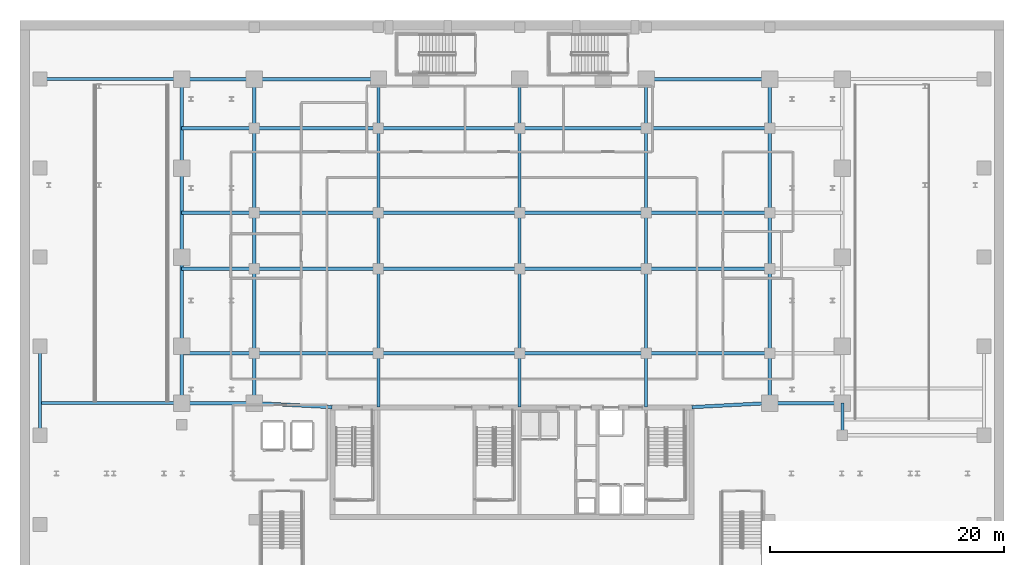
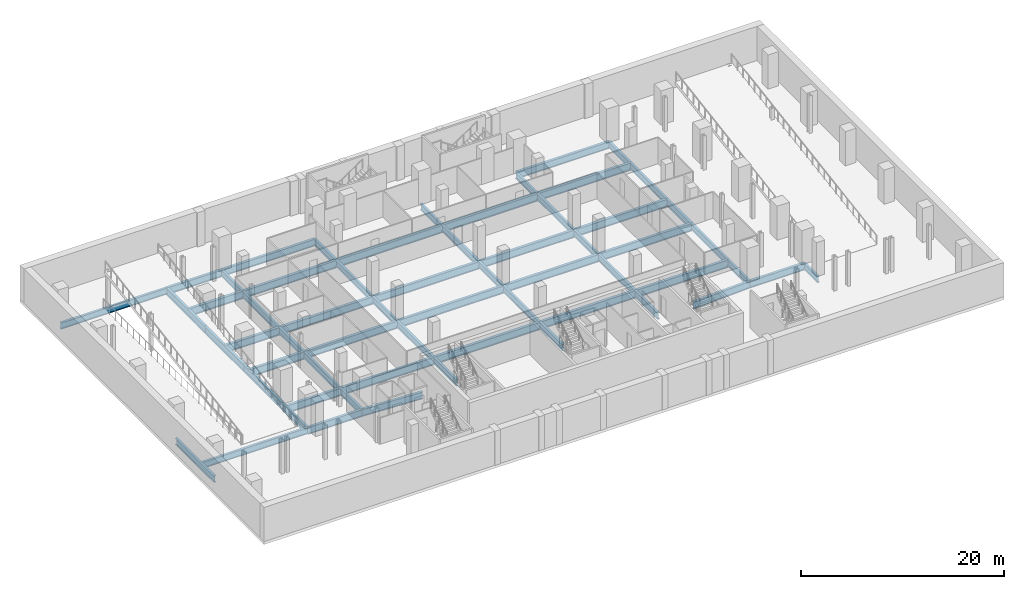
# One storey, part 5 of 18: 60 beams.
"""IFC4 building model written with IfcOpenShell, lengths in metres."""

from ifc_helpers import new_model, si_unit, direction, frame, origin, origin_2d, place, context, subcontext, project, spatial, i_section, extrude, material, material_profile, profile_set, type_object, element, save


model = new_model("IFC4")

# Units and contexts
model_context = context("Model", 3, precision=1e-05, world=origin(), true_north=direction((0.0, 1.0)))
body_context = subcontext(model_context, "Body", "Model", "MODEL_VIEW")
ifc_project = project(units=[si_unit("LENGTHUNIT", "METRE"), si_unit("AREAUNIT", "SQUARE_METRE"), si_unit("VOLUMEUNIT", "CUBIC_METRE"), si_unit("PLANEANGLEUNIT", "RADIAN"), si_unit("MASSUNIT", "GRAM", prefix="KILO")], contexts=[model_context])

# Site, building, storey
site_placement = place(None, origin())
site = spatial("IfcSite", under=ifc_project, at=site_placement, CompositionType="ELEMENT")
building_placement = place(site_placement, origin())
building = spatial("IfcBuilding", under=site, at=building_placement, Name="Ndaravel Arena Tower", CompositionType="ELEMENT")
storey_placement = place(building_placement, frame((0.0, 0.0, -4.5)))
storey = spatial("IfcBuildingStorey", under=building, at=storey_placement, Name="B01", CompositionType="ELEMENT", Elevation=-4.5)

# Beams
ifc_material_1 = material(Name="Steel S355", Category="steel")
ifc_material_profile_1 = material_profile(ifc_material_1, i_section(OverallWidth=0.26806640625, OverallDepth=0.769775390625, WebThickness=0.015625, FlangeThickness=0.025390625, FilletRadius=0.0166015625, at=origin_2d()), Name="UB 762x267x197")
ifc_profile_set_1 = profile_set([ifc_material_profile_1], Name="Steel S355")
beam_type_1 = type_object("IfcBeamType", Name="BM-POD-UB762", PredefinedType="BEAM", material=ifc_profile_set_1)
beam_1_placement = place(storey_placement, frame((1.699951171875, 43.0, -0.73486328125), z_axis=(1.0, 0.0, 0.0), x_axis=(0.0, 1.0, 0.0)))
element("IfcBeam", 1, at=beam_1_placement, inside=storey, type_object=beam_type_1, Name="B01 West Concourse Beam 04", PredefinedType="BEAM", context=body_context, shape_type="SweptSolid", body=[
    extrude(i_section(OverallWidth=0.26806640625, OverallDepth=0.769775390625, WebThickness=0.015625, FlangeThickness=0.025390625, FilletRadius=0.0166015625, at=origin_2d()), origin(), (0.0, 0.0, 1.0), 12.10009765625),
])
beam_2_placement = place(storey_placement, frame((20.0, 15.35009765625, -0.73486328125), z_axis=(0.0, 1.0, 0.0), x_axis=(-1.0, 0.0, 0.0)))
element("IfcBeam", 2, at=beam_2_placement, inside=storey, type_object=beam_type_1, Name="B01 Sub-Court Tie 1.15", PredefinedType="BEAM", context=body_context, shape_type="SweptSolid", body=[
    extrude(i_section(OverallWidth=0.26806640625, OverallDepth=0.769775390625, WebThickness=0.015625, FlangeThickness=0.025390625, FilletRadius=0.0166015625, at=origin_2d()), origin(), (0.0, 0.0, 1.0), 4.25),
])
beam_3_placement = place(storey_placement, frame((20.0, 19.60009765625, -0.73486328125), z_axis=(0.0, 1.0, 0.0), x_axis=(-1.0, 0.0, 0.0)))
element("IfcBeam", 3, at=beam_3_placement, inside=storey, type_object=beam_type_1, Name="B01 Sub-Court Tie 1.19", PredefinedType="BEAM", context=body_context, shape_type="SweptSolid", body=[
    extrude(i_section(OverallWidth=0.26806640625, OverallDepth=0.769775390625, WebThickness=0.015625, FlangeThickness=0.025390625, FilletRadius=0.0166015625, at=origin_2d()), origin(), (0.0, 0.0, 1.0), 7.199951171875),
])
beam_4_placement = place(storey_placement, frame((20.0, 26.800048828125, -0.73486328125), z_axis=(0.0, 1.0, 0.0), x_axis=(-1.0, 0.0, 0.0)))
element("IfcBeam", 4, at=beam_4_placement, inside=storey, type_object=beam_type_1, Name="B01 Sub-Court Tie 1.26", PredefinedType="BEAM", context=body_context, shape_type="SweptSolid", body=[
    extrude(i_section(OverallWidth=0.26806640625, OverallDepth=0.769775390625, WebThickness=0.015625, FlangeThickness=0.025390625, FilletRadius=0.0166015625, at=origin_2d()), origin(), (0.0, 0.0, 1.0), 4.800048828125),
])
beam_5_placement = place(storey_placement, frame((20.0, 31.60009765625, -0.73486328125), z_axis=(0.0, 1.0, 0.0), x_axis=(-1.0, 0.0, 0.0)))
element("IfcBeam", 5, at=beam_5_placement, inside=storey, type_object=beam_type_1, Name="B01 Sub-Court Tie 1.31", PredefinedType="BEAM", context=body_context, shape_type="SweptSolid", body=[
    extrude(i_section(OverallWidth=0.26806640625, OverallDepth=0.769775390625, WebThickness=0.015625, FlangeThickness=0.025390625, FilletRadius=0.0166015625, at=origin_2d()), origin(), (0.0, 0.0, 1.0), 7.199951171875),
])
beam_6_placement = place(storey_placement, frame((20.0, 38.800048828125, -0.73486328125), z_axis=(0.0, 1.0, 0.0), x_axis=(-1.0, 0.0, 0.0)))
element("IfcBeam", 6, at=beam_6_placement, inside=storey, type_object=beam_type_1, Name="B01 Sub-Court Tie 1.38", PredefinedType="BEAM", context=body_context, shape_type="SweptSolid", body=[
    extrude(i_section(OverallWidth=0.26806640625, OverallDepth=0.769775390625, WebThickness=0.015625, FlangeThickness=0.025390625, FilletRadius=0.0166015625, at=origin_2d()), origin(), (0.0, 0.0, 1.0), 4.199951171875),
])
beam_7_placement = place(storey_placement, frame((30.60009765625, 15.0, -0.73486328125), z_axis=(0.0, 1.0, 0.0), x_axis=(-1.0, 0.0, 0.0)))
element("IfcBeam", 7, at=beam_7_placement, inside=storey, type_object=beam_type_1, Name="B01 Sub-Court Tie 2.15", PredefinedType="BEAM", context=body_context, shape_type="SweptSolid", body=[
    extrude(i_section(OverallWidth=0.26806640625, OverallDepth=0.769775390625, WebThickness=0.015625, FlangeThickness=0.025390625, FilletRadius=0.0166015625, at=origin_2d()), origin(), (0.0, 0.0, 1.0), 4.60009765625),
])
beam_8_placement = place(storey_placement, frame((30.60009765625, 19.60009765625, -0.73486328125), z_axis=(0.0, 1.0, 0.0), x_axis=(-1.0, 0.0, 0.0)))
element("IfcBeam", 8, at=beam_8_placement, inside=storey, type_object=beam_type_1, Name="B01 Sub-Court Tie 2.19", PredefinedType="BEAM", context=body_context, shape_type="SweptSolid", body=[
    extrude(i_section(OverallWidth=0.26806640625, OverallDepth=0.769775390625, WebThickness=0.015625, FlangeThickness=0.025390625, FilletRadius=0.0166015625, at=origin_2d()), origin(), (0.0, 0.0, 1.0), 7.199951171875),
])
beam_9_placement = place(storey_placement, frame((30.60009765625, 26.800048828125, -0.73486328125), z_axis=(0.0, 1.0, 0.0), x_axis=(-1.0, 0.0, 0.0)))
element("IfcBeam", 9, at=beam_9_placement, inside=storey, type_object=beam_type_1, Name="B01 Sub-Court Tie 2.26", PredefinedType="BEAM", context=body_context, shape_type="SweptSolid", body=[
    extrude(i_section(OverallWidth=0.26806640625, OverallDepth=0.769775390625, WebThickness=0.015625, FlangeThickness=0.025390625, FilletRadius=0.0166015625, at=origin_2d()), origin(), (0.0, 0.0, 1.0), 4.800048828125),
])
beam_10_placement = place(storey_placement, frame((30.60009765625, 31.60009765625, -0.73486328125), z_axis=(0.0, 1.0, 0.0), x_axis=(-1.0, 0.0, 0.0)))
element("IfcBeam", 10, at=beam_10_placement, inside=storey, type_object=beam_type_1, Name="B01 Sub-Court Tie 2.31", PredefinedType="BEAM", context=body_context, shape_type="SweptSolid", body=[
    extrude(i_section(OverallWidth=0.26806640625, OverallDepth=0.769775390625, WebThickness=0.015625, FlangeThickness=0.025390625, FilletRadius=0.0166015625, at=origin_2d()), origin(), (0.0, 0.0, 1.0), 7.199951171875),
])
beam_11_placement = place(storey_placement, frame((30.60009765625, 38.800048828125, -0.73486328125), z_axis=(0.0, 1.0, 0.0), x_axis=(-1.0, 0.0, 0.0)))
element("IfcBeam", 11, at=beam_11_placement, inside=storey, type_object=beam_type_1, Name="B01 Sub-Court Tie 2.38", PredefinedType="BEAM", context=body_context, shape_type="SweptSolid", body=[
    extrude(i_section(OverallWidth=0.26806640625, OverallDepth=0.769775390625, WebThickness=0.015625, FlangeThickness=0.025390625, FilletRadius=0.0166015625, at=origin_2d()), origin(), (0.0, 0.0, 1.0), 4.199951171875),
])
beam_12_placement = place(storey_placement, frame((42.64990234375, 15.0, -0.73486328125), z_axis=(0.0, 1.0, 0.0), x_axis=(-1.0, 0.0, 0.0)))
element("IfcBeam", 12, at=beam_12_placement, inside=storey, type_object=beam_type_1, Name="B01 Sub-Court Tie 3.15", PredefinedType="BEAM", context=body_context, shape_type="SweptSolid", body=[
    extrude(i_section(OverallWidth=0.26806640625, OverallDepth=0.769775390625, WebThickness=0.015625, FlangeThickness=0.025390625, FilletRadius=0.0166015625, at=origin_2d()), origin(), (0.0, 0.0, 1.0), 4.60009765625),
])
beam_13_placement = place(storey_placement, frame((42.64990234375, 19.60009765625, -0.73486328125), z_axis=(0.0, 1.0, 0.0), x_axis=(-1.0, 0.0, 0.0)))
element("IfcBeam", 13, at=beam_13_placement, inside=storey, type_object=beam_type_1, Name="B01 Sub-Court Tie 3.19", PredefinedType="BEAM", context=body_context, shape_type="SweptSolid", body=[
    extrude(i_section(OverallWidth=0.26806640625, OverallDepth=0.769775390625, WebThickness=0.015625, FlangeThickness=0.025390625, FilletRadius=0.0166015625, at=origin_2d()), origin(), (0.0, 0.0, 1.0), 7.199951171875),
])
beam_14_placement = place(storey_placement, frame((42.64990234375, 26.800048828125, -0.73486328125), z_axis=(0.0, 1.0, 0.0), x_axis=(-1.0, 0.0, 0.0)))
element("IfcBeam", 14, at=beam_14_placement, inside=storey, type_object=beam_type_1, Name="B01 Sub-Court Tie 3.26", PredefinedType="BEAM", context=body_context, shape_type="SweptSolid", body=[
    extrude(i_section(OverallWidth=0.26806640625, OverallDepth=0.769775390625, WebThickness=0.015625, FlangeThickness=0.025390625, FilletRadius=0.0166015625, at=origin_2d()), origin(), (0.0, 0.0, 1.0), 4.800048828125),
])
beam_15_placement = place(storey_placement, frame((42.64990234375, 31.60009765625, -0.73486328125), z_axis=(0.0, 1.0, 0.0), x_axis=(-1.0, 0.0, 0.0)))
element("IfcBeam", 15, at=beam_15_placement, inside=storey, type_object=beam_type_1, Name="B01 Sub-Court Tie 3.31", PredefinedType="BEAM", context=body_context, shape_type="SweptSolid", body=[
    extrude(i_section(OverallWidth=0.26806640625, OverallDepth=0.769775390625, WebThickness=0.015625, FlangeThickness=0.025390625, FilletRadius=0.0166015625, at=origin_2d()), origin(), (0.0, 0.0, 1.0), 7.199951171875),
])
beam_16_placement = place(storey_placement, frame((42.64990234375, 38.800048828125, -0.73486328125), z_axis=(0.0, 1.0, 0.0), x_axis=(-1.0, 0.0, 0.0)))
element("IfcBeam", 16, at=beam_16_placement, inside=storey, type_object=beam_type_1, Name="B01 Sub-Court Tie 3.38", PredefinedType="BEAM", context=body_context, shape_type="SweptSolid", body=[
    extrude(i_section(OverallWidth=0.26806640625, OverallDepth=0.769775390625, WebThickness=0.015625, FlangeThickness=0.025390625, FilletRadius=0.0166015625, at=origin_2d()), origin(), (0.0, 0.0, 1.0), 4.199951171875),
])
beam_17_placement = place(storey_placement, frame((53.449951171875, 15.0, -0.73486328125), z_axis=(0.0, 1.0, 0.0), x_axis=(-1.0, 0.0, 0.0)))
element("IfcBeam", 17, at=beam_17_placement, inside=storey, type_object=beam_type_1, Name="B01 Sub-Court Tie 4.15", PredefinedType="BEAM", context=body_context, shape_type="SweptSolid", body=[
    extrude(i_section(OverallWidth=0.26806640625, OverallDepth=0.769775390625, WebThickness=0.015625, FlangeThickness=0.025390625, FilletRadius=0.0166015625, at=origin_2d()), origin(), (0.0, 0.0, 1.0), 4.60009765625),
])
beam_18_placement = place(storey_placement, frame((53.449951171875, 19.60009765625, -0.73486328125), z_axis=(0.0, 1.0, 0.0), x_axis=(-1.0, 0.0, 0.0)))
element("IfcBeam", 18, at=beam_18_placement, inside=storey, type_object=beam_type_1, Name="B01 Sub-Court Tie 4.19", PredefinedType="BEAM", context=body_context, shape_type="SweptSolid", body=[
    extrude(i_section(OverallWidth=0.26806640625, OverallDepth=0.769775390625, WebThickness=0.015625, FlangeThickness=0.025390625, FilletRadius=0.0166015625, at=origin_2d()), origin(), (0.0, 0.0, 1.0), 7.199951171875),
])
beam_19_placement = place(storey_placement, frame((53.449951171875, 26.800048828125, -0.73486328125), z_axis=(0.0, 1.0, 0.0), x_axis=(-1.0, 0.0, 0.0)))
element("IfcBeam", 19, at=beam_19_placement, inside=storey, type_object=beam_type_1, Name="B01 Sub-Court Tie 4.26", PredefinedType="BEAM", context=body_context, shape_type="SweptSolid", body=[
    extrude(i_section(OverallWidth=0.26806640625, OverallDepth=0.769775390625, WebThickness=0.015625, FlangeThickness=0.025390625, FilletRadius=0.0166015625, at=origin_2d()), origin(), (0.0, 0.0, 1.0), 4.800048828125),
])
beam_20_placement = place(storey_placement, frame((53.449951171875, 31.60009765625, -0.73486328125), z_axis=(0.0, 1.0, 0.0), x_axis=(-1.0, 0.0, 0.0)))
element("IfcBeam", 20, at=beam_20_placement, inside=storey, type_object=beam_type_1, Name="B01 Sub-Court Tie 4.31", PredefinedType="BEAM", context=body_context, shape_type="SweptSolid", body=[
    extrude(i_section(OverallWidth=0.26806640625, OverallDepth=0.769775390625, WebThickness=0.015625, FlangeThickness=0.025390625, FilletRadius=0.0166015625, at=origin_2d()), origin(), (0.0, 0.0, 1.0), 7.199951171875),
])
beam_21_placement = place(storey_placement, frame((53.449951171875, 38.800048828125, -0.73486328125), z_axis=(0.0, 1.0, 0.0), x_axis=(-1.0, 0.0, 0.0)))
element("IfcBeam", 21, at=beam_21_placement, inside=storey, type_object=beam_type_1, Name="B01 Sub-Court Tie 4.38", PredefinedType="BEAM", context=body_context, shape_type="SweptSolid", body=[
    extrude(i_section(OverallWidth=0.26806640625, OverallDepth=0.769775390625, WebThickness=0.015625, FlangeThickness=0.025390625, FilletRadius=0.0166015625, at=origin_2d()), origin(), (0.0, 0.0, 1.0), 4.199951171875),
])
beam_22_placement = place(storey_placement, frame((64.0, 15.35009765625, -0.73486328125), z_axis=(0.0, 1.0, 0.0), x_axis=(-1.0, 0.0, 0.0)))
element("IfcBeam", 22, at=beam_22_placement, inside=storey, type_object=beam_type_1, Name="B01 Sub-Court Tie 5.15", PredefinedType="BEAM", context=body_context, shape_type="SweptSolid", body=[
    extrude(i_section(OverallWidth=0.26806640625, OverallDepth=0.769775390625, WebThickness=0.015625, FlangeThickness=0.025390625, FilletRadius=0.0166015625, at=origin_2d()), origin(), (0.0, 0.0, 1.0), 4.25),
])
beam_23_placement = place(storey_placement, frame((64.0, 19.60009765625, -0.73486328125), z_axis=(0.0, 1.0, 0.0), x_axis=(-1.0, 0.0, 0.0)))
element("IfcBeam", 23, at=beam_23_placement, inside=storey, type_object=beam_type_1, Name="B01 Sub-Court Tie 5.19", PredefinedType="BEAM", context=body_context, shape_type="SweptSolid", body=[
    extrude(i_section(OverallWidth=0.26806640625, OverallDepth=0.769775390625, WebThickness=0.015625, FlangeThickness=0.025390625, FilletRadius=0.0166015625, at=origin_2d()), origin(), (0.0, 0.0, 1.0), 7.199951171875),
])
beam_24_placement = place(storey_placement, frame((64.0, 26.800048828125, -0.73486328125), z_axis=(0.0, 1.0, 0.0), x_axis=(-1.0, 0.0, 0.0)))
element("IfcBeam", 24, at=beam_24_placement, inside=storey, type_object=beam_type_1, Name="B01 Sub-Court Tie 5.26", PredefinedType="BEAM", context=body_context, shape_type="SweptSolid", body=[
    extrude(i_section(OverallWidth=0.26806640625, OverallDepth=0.769775390625, WebThickness=0.015625, FlangeThickness=0.025390625, FilletRadius=0.0166015625, at=origin_2d()), origin(), (0.0, 0.0, 1.0), 4.800048828125),
])
beam_25_placement = place(storey_placement, frame((64.0, 31.60009765625, -0.73486328125), z_axis=(0.0, 1.0, 0.0), x_axis=(-1.0, 0.0, 0.0)))
element("IfcBeam", 25, at=beam_25_placement, inside=storey, type_object=beam_type_1, Name="B01 Sub-Court Tie 5.31", PredefinedType="BEAM", context=body_context, shape_type="SweptSolid", body=[
    extrude(i_section(OverallWidth=0.26806640625, OverallDepth=0.769775390625, WebThickness=0.015625, FlangeThickness=0.025390625, FilletRadius=0.0166015625, at=origin_2d()), origin(), (0.0, 0.0, 1.0), 7.199951171875),
])
beam_26_placement = place(storey_placement, frame((64.0, 38.800048828125, -0.73486328125), z_axis=(0.0, 1.0, 0.0), x_axis=(-1.0, 0.0, 0.0)))
element("IfcBeam", 26, at=beam_26_placement, inside=storey, type_object=beam_type_1, Name="B01 Sub-Court Tie 5.38", PredefinedType="BEAM", context=body_context, shape_type="SweptSolid", body=[
    extrude(i_section(OverallWidth=0.26806640625, OverallDepth=0.769775390625, WebThickness=0.015625, FlangeThickness=0.025390625, FilletRadius=0.0166015625, at=origin_2d()), origin(), (0.0, 0.0, 1.0), 4.199951171875),
])
beam_27_placement = place(storey_placement, frame((1.699951171875, 12.60009765625, -0.73486328125), z_axis=(0.0, 1.0, 0.0), x_axis=(-1.0, 0.0, 0.0)))
element("IfcBeam", 27, at=beam_27_placement, inside=storey, type_object=beam_type_1, Name="B01 West Ramp Edge Girder", PredefinedType="BEAM", context=body_context, shape_type="SweptSolid", body=[
    extrude(i_section(OverallWidth=0.26806640625, OverallDepth=0.769775390625, WebThickness=0.015625, FlangeThickness=0.025390625, FilletRadius=0.0166015625, at=origin_2d()), origin(), (0.0, 0.0, 1.0), 7.599853515625),
])
beam_28_placement = place(storey_placement, frame((70.199951171875, 12.60009765625, -0.73486328125), z_axis=(0.0, 1.0, 0.0), x_axis=(-1.0, 0.0, 0.0)))
element("IfcBeam", 28, at=beam_28_placement, inside=storey, type_object=beam_type_1, Name="B01 East Dock Inner Edge Girder", PredefinedType="BEAM", context=body_context, shape_type="SweptSolid", body=[
    extrude(i_section(OverallWidth=0.26806640625, OverallDepth=0.769775390625, WebThickness=0.015625, FlangeThickness=0.025390625, FilletRadius=0.0166015625, at=origin_2d()), origin(), (0.0, 0.0, 1.0), 2.75),
])
beam_29_placement = place(storey_placement, frame((1.699951171875, 15.35009765625, -0.73486328125), z_axis=(1.0, 0.0, 0.0), x_axis=(0.0, 1.0, 0.0)))
element("IfcBeam", 29, at=beam_29_placement, inside=storey, type_object=beam_type_1, Name="B01 Car Ramp South Header Girder", PredefinedType="BEAM", context=body_context, shape_type="SweptSolid", body=[
    extrude(i_section(OverallWidth=0.26806640625, OverallDepth=0.769775390625, WebThickness=0.015625, FlangeThickness=0.025390625, FilletRadius=0.0166015625, at=origin_2d()), origin(), (0.0, 0.0, 1.0), 12.10009765625),
])
ifc_material_2 = material(Name="Steel S355", Category="steel")
ifc_material_profile_2 = material_profile(ifc_material_2, i_section(OverallWidth=0.293701171875, OverallDepth=0.850830078125, WebThickness=0.01611328125, FlangeThickness=0.02685546875, FilletRadius=0.017822265625, at=origin_2d()), Name="UB 838x292x226")
ifc_profile_set_2 = profile_set([ifc_material_profile_2], Name="Steel S355")
beam_type_2 = type_object("IfcBeamType", Name="BM-POD-UB838", PredefinedType="BEAM", material=ifc_profile_set_2)
beam_30_placement = place(storey_placement, frame((13.800048828125, 15.35009765625, -0.775390625), z_axis=(0.0, 1.0, 0.0), x_axis=(-1.0, 0.0, 0.0)))
element("IfcBeam", 30, at=beam_30_placement, inside=storey, type_object=beam_type_2, Name="B01 Arena Ring Girder 01", PredefinedType="BEAM", context=body_context, shape_type="SweptSolid", body=[
    extrude(i_section(OverallWidth=0.293701171875, OverallDepth=0.850830078125, WebThickness=0.01611328125, FlangeThickness=0.02685546875, FilletRadius=0.017822265625, at=origin_2d()), origin(), (0.0, 0.0, 1.0), 4.849853515625),
])
beam_31_placement = place(storey_placement, frame((13.800048828125, 20.199951171875, -0.775390625), z_axis=(0.0, 1.0, 0.0), x_axis=(-1.0, 0.0, 0.0)))
element("IfcBeam", 31, at=beam_31_placement, inside=storey, type_object=beam_type_2, Name="B01 Arena Ring Girder 02", PredefinedType="BEAM", context=body_context, shape_type="SweptSolid", body=[
    extrude(i_section(OverallWidth=0.293701171875, OverallDepth=0.850830078125, WebThickness=0.01611328125, FlangeThickness=0.02685546875, FilletRadius=0.017822265625, at=origin_2d()), origin(), (0.0, 0.0, 1.0), 7.60009765625),
])
beam_32_placement = place(storey_placement, frame((13.800048828125, 27.800048828125, -0.775390625), z_axis=(0.0, 1.0, 0.0), x_axis=(-1.0, 0.0, 0.0)))
element("IfcBeam", 32, at=beam_32_placement, inside=storey, type_object=beam_type_2, Name="B01 Arena Ring Girder 03", PredefinedType="BEAM", context=body_context, shape_type="SweptSolid", body=[
    extrude(i_section(OverallWidth=0.293701171875, OverallDepth=0.850830078125, WebThickness=0.01611328125, FlangeThickness=0.02685546875, FilletRadius=0.017822265625, at=origin_2d()), origin(), (0.0, 0.0, 1.0), 7.599853515625),
])
beam_33_placement = place(storey_placement, frame((13.800048828125, 35.39990234375, -0.775390625), z_axis=(0.0, 1.0, 0.0), x_axis=(-1.0, 0.0, 0.0)))
element("IfcBeam", 33, at=beam_33_placement, inside=storey, type_object=beam_type_2, Name="B01 Arena Ring Girder 04", PredefinedType="BEAM", context=body_context, shape_type="SweptSolid", body=[
    extrude(i_section(OverallWidth=0.293701171875, OverallDepth=0.850830078125, WebThickness=0.01611328125, FlangeThickness=0.02685546875, FilletRadius=0.017822265625, at=origin_2d()), origin(), (0.0, 0.0, 1.0), 7.60009765625),
])
beam_34_placement = place(storey_placement, frame((13.800048828125, 43.0, -0.775390625), z_axis=(1.0, 0.0, 0.0), x_axis=(0.0, 1.0, 0.0)))
element("IfcBeam", 34, at=beam_34_placement, inside=storey, type_object=beam_type_2, Name="B01 Arena Ring Girder 09", PredefinedType="BEAM", context=body_context, shape_type="SweptSolid", body=[
    extrude(i_section(OverallWidth=0.293701171875, OverallDepth=0.850830078125, WebThickness=0.01611328125, FlangeThickness=0.02685546875, FilletRadius=0.017822265625, at=origin_2d()), origin(), (0.0, 0.0, 1.0), 6.199951171875),
])
beam_35_placement = place(storey_placement, frame((20.0, 43.0, -0.775390625), z_axis=(1.0, 0.0, 0.0), x_axis=(0.0, 1.0, 0.0)))
element("IfcBeam", 35, at=beam_35_placement, inside=storey, type_object=beam_type_2, Name="B01 Arena Ring Girder 10", PredefinedType="BEAM", context=body_context, shape_type="SweptSolid", body=[
    extrude(i_section(OverallWidth=0.293701171875, OverallDepth=0.850830078125, WebThickness=0.01611328125, FlangeThickness=0.02685546875, FilletRadius=0.017822265625, at=origin_2d()), origin(), (0.0, 0.0, 1.0), 10.60009765625),
])
beam_36_placement = place(storey_placement, frame((53.449951171875, 43.0, -0.775390625), z_axis=(1.0, 0.0, 0.0), x_axis=(0.0, 1.0, 0.0)))
element("IfcBeam", 36, at=beam_36_placement, inside=storey, type_object=beam_type_2, Name="B01 Arena Ring Girder 15", PredefinedType="BEAM", context=body_context, shape_type="SweptSolid", body=[
    extrude(i_section(OverallWidth=0.293701171875, OverallDepth=0.850830078125, WebThickness=0.01611328125, FlangeThickness=0.02685546875, FilletRadius=0.017822265625, at=origin_2d()), origin(), (0.0, 0.0, 1.0), 10.550048828125),
])
beam_37_placement = place(storey_placement, frame((13.800048828125, 15.35009765625, -0.775390625), z_axis=(1.0, 0.0, 0.0), x_axis=(0.0, 1.0, 0.0)))
element("IfcBeam", 37, at=beam_37_placement, inside=storey, type_object=beam_type_2, Name="B01 Arena Ring Girder 17", PredefinedType="BEAM", context=body_context, shape_type="SweptSolid", body=[
    extrude(i_section(OverallWidth=0.293701171875, OverallDepth=0.850830078125, WebThickness=0.01611328125, FlangeThickness=0.02685546875, FilletRadius=0.017822265625, at=origin_2d()), origin(), (0.0, 0.0, 1.0), 6.199951171875),
])
for number, where, z_axis, x_axis, name in (
    (38, (20.0, 15.35009765625, -0.775390625), (0.99861701899, -0.052574227375, 0.0), (0.052574227375, 0.99861701899, 0.0), "B01 Arena Ring Girder 18"),
    (39, (57.35009765625, 15.0, -0.775390625), (0.99861701899, 0.052574227375, 0.0), (-0.052574227375, 0.99861701899, 0.0), "B01 Arena Ring Girder 19"),
):
    element("IfcBeam", number, at=place(storey_placement, frame(where, z_axis=z_axis, x_axis=x_axis)), inside=storey, type_object=beam_type_2, Name=name, PredefinedType="BEAM", context=body_context, shape_type="SweptSolid", body=[
        extrude(i_section(OverallWidth=0.293701171875, OverallDepth=0.850830078125, WebThickness=0.01611328125, FlangeThickness=0.02685546875, FilletRadius=0.017822265625, at=origin_2d()), origin(), (0.0, 0.0, 1.0), 6.6591796875),
    ])
beam_38_placement = place(storey_placement, frame((64.0, 15.35009765625, -0.775390625), z_axis=(1.0, 0.0, 0.0), x_axis=(0.0, 1.0, 0.0)))
element("IfcBeam", 40, at=beam_38_placement, inside=storey, type_object=beam_type_2, Name="B01 Arena Ring Girder 20", PredefinedType="BEAM", context=body_context, shape_type="SweptSolid", body=[
    extrude(i_section(OverallWidth=0.293701171875, OverallDepth=0.850830078125, WebThickness=0.01611328125, FlangeThickness=0.02685546875, FilletRadius=0.017822265625, at=origin_2d()), origin(), (0.0, 0.0, 1.0), 6.199951171875),
])
ifc_material_3 = material(Name="Steel S355", Category="steel")
ifc_material_profile_3 = material_profile(ifc_material_3, i_section(OverallWidth=0.3076171875, OverallDepth=0.926513671875, WebThickness=0.01953125, FlangeThickness=0.031982421875, FilletRadius=0.01904296875, at=origin_2d()), Name="UB 914x305x289")
ifc_profile_set_3 = profile_set([ifc_material_profile_3], Name="Steel S355")
beam_type_3 = type_object("IfcBeamType", Name="BM-POD-UB914B", PredefinedType="BEAM", material=ifc_profile_set_3)
beam_39_placement = place(storey_placement, frame((13.800048828125, 19.60009765625, -0.813232421875), z_axis=(1.0, 0.0, 0.0), x_axis=(0.0, 1.0, 0.0)))
element("IfcBeam", 41, at=beam_39_placement, inside=storey, type_object=beam_type_3, Name="B01 Sub-Court Girder 1.1", PredefinedType="BEAM", context=body_context, shape_type="SweptSolid", body=[
    extrude(i_section(OverallWidth=0.3076171875, OverallDepth=0.926513671875, WebThickness=0.01953125, FlangeThickness=0.031982421875, FilletRadius=0.01904296875, at=origin_2d()), origin(), (0.0, 0.0, 1.0), 6.199951171875),
])
beam_40_placement = place(storey_placement, frame((20.0, 19.60009765625, -0.813232421875), z_axis=(1.0, 0.0, 0.0), x_axis=(0.0, 1.0, 0.0)))
element("IfcBeam", 42, at=beam_40_placement, inside=storey, type_object=beam_type_3, Name="B01 Sub-Court Girder 1.2", PredefinedType="BEAM", context=body_context, shape_type="SweptSolid", body=[
    extrude(i_section(OverallWidth=0.3076171875, OverallDepth=0.926513671875, WebThickness=0.01953125, FlangeThickness=0.031982421875, FilletRadius=0.01904296875, at=origin_2d()), origin(), (0.0, 0.0, 1.0), 10.60009765625),
])
beam_41_placement = place(storey_placement, frame((30.60009765625, 19.60009765625, -0.813232421875), z_axis=(1.0, 0.0, 0.0), x_axis=(0.0, 1.0, 0.0)))
element("IfcBeam", 43, at=beam_41_placement, inside=storey, type_object=beam_type_3, Name="B01 Sub-Court Girder 1.3", PredefinedType="BEAM", context=body_context, shape_type="SweptSolid", body=[
    extrude(i_section(OverallWidth=0.3076171875, OverallDepth=0.926513671875, WebThickness=0.01953125, FlangeThickness=0.031982421875, FilletRadius=0.01904296875, at=origin_2d()), origin(), (0.0, 0.0, 1.0), 12.0498046875),
])
beam_42_placement = place(storey_placement, frame((42.64990234375, 19.60009765625, -0.813232421875), z_axis=(1.0, 0.0, 0.0), x_axis=(0.0, 1.0, 0.0)))
element("IfcBeam", 44, at=beam_42_placement, inside=storey, type_object=beam_type_3, Name="B01 Sub-Court Girder 1.4", PredefinedType="BEAM", context=body_context, shape_type="SweptSolid", body=[
    extrude(i_section(OverallWidth=0.3076171875, OverallDepth=0.926513671875, WebThickness=0.01953125, FlangeThickness=0.031982421875, FilletRadius=0.01904296875, at=origin_2d()), origin(), (0.0, 0.0, 1.0), 10.800048828125),
])
beam_43_placement = place(storey_placement, frame((53.449951171875, 19.60009765625, -0.813232421875), z_axis=(1.0, 0.0, 0.0), x_axis=(0.0, 1.0, 0.0)))
element("IfcBeam", 45, at=beam_43_placement, inside=storey, type_object=beam_type_3, Name="B01 Sub-Court Girder 1.5", PredefinedType="BEAM", context=body_context, shape_type="SweptSolid", body=[
    extrude(i_section(OverallWidth=0.3076171875, OverallDepth=0.926513671875, WebThickness=0.01953125, FlangeThickness=0.031982421875, FilletRadius=0.01904296875, at=origin_2d()), origin(), (0.0, 0.0, 1.0), 10.550048828125),
])
beam_44_placement = place(storey_placement, frame((13.800048828125, 26.800048828125, -0.813232421875), z_axis=(1.0, 0.0, 0.0), x_axis=(0.0, 1.0, 0.0)))
element("IfcBeam", 46, at=beam_44_placement, inside=storey, type_object=beam_type_3, Name="B01 Sub-Court Girder 2.1", PredefinedType="BEAM", context=body_context, shape_type="SweptSolid", body=[
    extrude(i_section(OverallWidth=0.3076171875, OverallDepth=0.926513671875, WebThickness=0.01953125, FlangeThickness=0.031982421875, FilletRadius=0.01904296875, at=origin_2d()), origin(), (0.0, 0.0, 1.0), 6.199951171875),
])
beam_45_placement = place(storey_placement, frame((20.0, 26.800048828125, -0.813232421875), z_axis=(1.0, 0.0, 0.0), x_axis=(0.0, 1.0, 0.0)))
element("IfcBeam", 47, at=beam_45_placement, inside=storey, type_object=beam_type_3, Name="B01 Sub-Court Girder 2.2", PredefinedType="BEAM", context=body_context, shape_type="SweptSolid", body=[
    extrude(i_section(OverallWidth=0.3076171875, OverallDepth=0.926513671875, WebThickness=0.01953125, FlangeThickness=0.031982421875, FilletRadius=0.01904296875, at=origin_2d()), origin(), (0.0, 0.0, 1.0), 10.60009765625),
])
beam_46_placement = place(storey_placement, frame((30.60009765625, 26.800048828125, -0.813232421875), z_axis=(1.0, 0.0, 0.0), x_axis=(0.0, 1.0, 0.0)))
element("IfcBeam", 48, at=beam_46_placement, inside=storey, type_object=beam_type_3, Name="B01 Sub-Court Girder 2.3", PredefinedType="BEAM", context=body_context, shape_type="SweptSolid", body=[
    extrude(i_section(OverallWidth=0.3076171875, OverallDepth=0.926513671875, WebThickness=0.01953125, FlangeThickness=0.031982421875, FilletRadius=0.01904296875, at=origin_2d()), origin(), (0.0, 0.0, 1.0), 12.0498046875),
])
beam_47_placement = place(storey_placement, frame((42.64990234375, 26.800048828125, -0.813232421875), z_axis=(1.0, 0.0, 0.0), x_axis=(0.0, 1.0, 0.0)))
element("IfcBeam", 49, at=beam_47_placement, inside=storey, type_object=beam_type_3, Name="B01 Sub-Court Girder 2.4", PredefinedType="BEAM", context=body_context, shape_type="SweptSolid", body=[
    extrude(i_section(OverallWidth=0.3076171875, OverallDepth=0.926513671875, WebThickness=0.01953125, FlangeThickness=0.031982421875, FilletRadius=0.01904296875, at=origin_2d()), origin(), (0.0, 0.0, 1.0), 10.800048828125),
])
beam_48_placement = place(storey_placement, frame((53.449951171875, 26.800048828125, -0.813232421875), z_axis=(1.0, 0.0, 0.0), x_axis=(0.0, 1.0, 0.0)))
element("IfcBeam", 50, at=beam_48_placement, inside=storey, type_object=beam_type_3, Name="B01 Sub-Court Girder 2.5", PredefinedType="BEAM", context=body_context, shape_type="SweptSolid", body=[
    extrude(i_section(OverallWidth=0.3076171875, OverallDepth=0.926513671875, WebThickness=0.01953125, FlangeThickness=0.031982421875, FilletRadius=0.01904296875, at=origin_2d()), origin(), (0.0, 0.0, 1.0), 10.550048828125),
])
beam_49_placement = place(storey_placement, frame((13.800048828125, 31.60009765625, -0.813232421875), z_axis=(1.0, 0.0, 0.0), x_axis=(0.0, 1.0, 0.0)))
element("IfcBeam", 51, at=beam_49_placement, inside=storey, type_object=beam_type_3, Name="B01 Sub-Court Girder 3.1", PredefinedType="BEAM", context=body_context, shape_type="SweptSolid", body=[
    extrude(i_section(OverallWidth=0.3076171875, OverallDepth=0.926513671875, WebThickness=0.01953125, FlangeThickness=0.031982421875, FilletRadius=0.01904296875, at=origin_2d()), origin(), (0.0, 0.0, 1.0), 6.199951171875),
])
beam_50_placement = place(storey_placement, frame((20.0, 31.60009765625, -0.813232421875), z_axis=(1.0, 0.0, 0.0), x_axis=(0.0, 1.0, 0.0)))
element("IfcBeam", 52, at=beam_50_placement, inside=storey, type_object=beam_type_3, Name="B01 Sub-Court Girder 3.2", PredefinedType="BEAM", context=body_context, shape_type="SweptSolid", body=[
    extrude(i_section(OverallWidth=0.3076171875, OverallDepth=0.926513671875, WebThickness=0.01953125, FlangeThickness=0.031982421875, FilletRadius=0.01904296875, at=origin_2d()), origin(), (0.0, 0.0, 1.0), 10.60009765625),
])
beam_51_placement = place(storey_placement, frame((30.60009765625, 31.60009765625, -0.813232421875), z_axis=(1.0, 0.0, 0.0), x_axis=(0.0, 1.0, 0.0)))
element("IfcBeam", 53, at=beam_51_placement, inside=storey, type_object=beam_type_3, Name="B01 Sub-Court Girder 3.3", PredefinedType="BEAM", context=body_context, shape_type="SweptSolid", body=[
    extrude(i_section(OverallWidth=0.3076171875, OverallDepth=0.926513671875, WebThickness=0.01953125, FlangeThickness=0.031982421875, FilletRadius=0.01904296875, at=origin_2d()), origin(), (0.0, 0.0, 1.0), 12.0498046875),
])
beam_52_placement = place(storey_placement, frame((42.64990234375, 31.60009765625, -0.813232421875), z_axis=(1.0, 0.0, 0.0), x_axis=(0.0, 1.0, 0.0)))
element("IfcBeam", 54, at=beam_52_placement, inside=storey, type_object=beam_type_3, Name="B01 Sub-Court Girder 3.4", PredefinedType="BEAM", context=body_context, shape_type="SweptSolid", body=[
    extrude(i_section(OverallWidth=0.3076171875, OverallDepth=0.926513671875, WebThickness=0.01953125, FlangeThickness=0.031982421875, FilletRadius=0.01904296875, at=origin_2d()), origin(), (0.0, 0.0, 1.0), 10.800048828125),
])
beam_53_placement = place(storey_placement, frame((53.449951171875, 31.60009765625, -0.813232421875), z_axis=(1.0, 0.0, 0.0), x_axis=(0.0, 1.0, 0.0)))
element("IfcBeam", 55, at=beam_53_placement, inside=storey, type_object=beam_type_3, Name="B01 Sub-Court Girder 3.5", PredefinedType="BEAM", context=body_context, shape_type="SweptSolid", body=[
    extrude(i_section(OverallWidth=0.3076171875, OverallDepth=0.926513671875, WebThickness=0.01953125, FlangeThickness=0.031982421875, FilletRadius=0.01904296875, at=origin_2d()), origin(), (0.0, 0.0, 1.0), 10.550048828125),
])
beam_54_placement = place(storey_placement, frame((13.800048828125, 38.800048828125, -0.813232421875), z_axis=(1.0, 0.0, 0.0), x_axis=(0.0, 1.0, 0.0)))
element("IfcBeam", 56, at=beam_54_placement, inside=storey, type_object=beam_type_3, Name="B01 Sub-Court Girder 4.1", PredefinedType="BEAM", context=body_context, shape_type="SweptSolid", body=[
    extrude(i_section(OverallWidth=0.3076171875, OverallDepth=0.926513671875, WebThickness=0.01953125, FlangeThickness=0.031982421875, FilletRadius=0.01904296875, at=origin_2d()), origin(), (0.0, 0.0, 1.0), 6.199951171875),
])
beam_55_placement = place(storey_placement, frame((20.0, 38.800048828125, -0.813232421875), z_axis=(1.0, 0.0, 0.0), x_axis=(0.0, 1.0, 0.0)))
element("IfcBeam", 57, at=beam_55_placement, inside=storey, type_object=beam_type_3, Name="B01 Sub-Court Girder 4.2", PredefinedType="BEAM", context=body_context, shape_type="SweptSolid", body=[
    extrude(i_section(OverallWidth=0.3076171875, OverallDepth=0.926513671875, WebThickness=0.01953125, FlangeThickness=0.031982421875, FilletRadius=0.01904296875, at=origin_2d()), origin(), (0.0, 0.0, 1.0), 10.60009765625),
])
beam_56_placement = place(storey_placement, frame((30.60009765625, 38.800048828125, -0.813232421875), z_axis=(1.0, 0.0, 0.0), x_axis=(0.0, 1.0, 0.0)))
element("IfcBeam", 58, at=beam_56_placement, inside=storey, type_object=beam_type_3, Name="B01 Sub-Court Girder 4.3", PredefinedType="BEAM", context=body_context, shape_type="SweptSolid", body=[
    extrude(i_section(OverallWidth=0.3076171875, OverallDepth=0.926513671875, WebThickness=0.01953125, FlangeThickness=0.031982421875, FilletRadius=0.01904296875, at=origin_2d()), origin(), (0.0, 0.0, 1.0), 12.0498046875),
])
beam_57_placement = place(storey_placement, frame((42.64990234375, 38.800048828125, -0.813232421875), z_axis=(1.0, 0.0, 0.0), x_axis=(0.0, 1.0, 0.0)))
element("IfcBeam", 59, at=beam_57_placement, inside=storey, type_object=beam_type_3, Name="B01 Sub-Court Girder 4.4", PredefinedType="BEAM", context=body_context, shape_type="SweptSolid", body=[
    extrude(i_section(OverallWidth=0.3076171875, OverallDepth=0.926513671875, WebThickness=0.01953125, FlangeThickness=0.031982421875, FilletRadius=0.01904296875, at=origin_2d()), origin(), (0.0, 0.0, 1.0), 10.800048828125),
])
beam_58_placement = place(storey_placement, frame((53.449951171875, 38.800048828125, -0.813232421875), z_axis=(1.0, 0.0, 0.0), x_axis=(0.0, 1.0, 0.0)))
element("IfcBeam", 60, at=beam_58_placement, inside=storey, type_object=beam_type_3, Name="B01 Sub-Court Girder 4.5", PredefinedType="BEAM", context=body_context, shape_type="SweptSolid", body=[
    extrude(i_section(OverallWidth=0.3076171875, OverallDepth=0.926513671875, WebThickness=0.01953125, FlangeThickness=0.031982421875, FilletRadius=0.01904296875, at=origin_2d()), origin(), (0.0, 0.0, 1.0), 10.550048828125),
])

save(model, "model.ifc")
